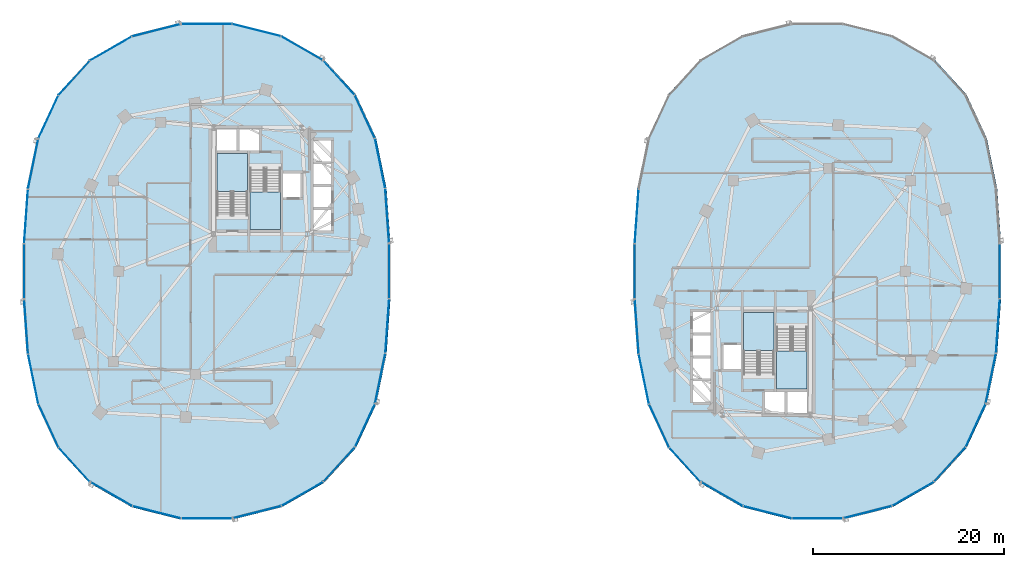
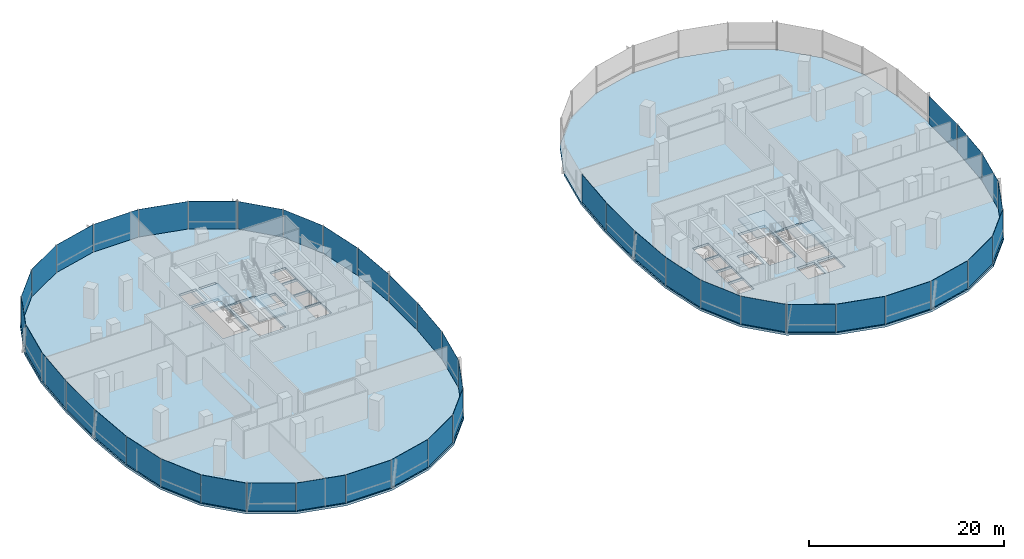
# One storey, part 9 of 21: 44 plates, 6 slabs, 11 elements without a shape of their own.
"""IFC4 building model written with IfcOpenShell, lengths in metres."""

from ifc_helpers import new_model, si_unit, direction, frame, origin, origin_2d, place, context, subcontext, project, spatial, polyline, rectangle, outline, extrude, material, layer, layer_set, type_object, element, aggregate, save


model = new_model("IFC4")

# Units and contexts
model_context = context("Model", 3, precision=1e-05, world=origin(), true_north=direction((0.0, 1.0)))
body_context = subcontext(model_context, "Body", "Model", "MODEL_VIEW")
ifc_project = project(units=[si_unit("LENGTHUNIT", "METRE"), si_unit("AREAUNIT", "SQUARE_METRE"), si_unit("VOLUMEUNIT", "CUBIC_METRE"), si_unit("PLANEANGLEUNIT", "RADIAN"), si_unit("MASSUNIT", "GRAM", prefix="KILO"), si_unit("THERMODYNAMICTEMPERATUREUNIT", "KELVIN"), si_unit("POWERUNIT", "WATT")], contexts=[model_context])

# Site, building, storey
site_placement = place(None, origin())
site = spatial("IfcSite", under=ifc_project, at=site_placement, CompositionType="ELEMENT")
building_placement = place(site_placement, origin())
building = spatial("IfcBuilding", under=site, at=building_placement, Name="Cundina Bronze Exchange", CompositionType="ELEMENT")
storey_placement = place(building_placement, frame((0.0, 0.0, 54.39990234375)))
storey = spatial("IfcBuildingStorey", under=building, at=storey_placement, Name="L13", CompositionType="ELEMENT", Elevation=54.39990234375)

# Curtain wall, plates
ifc_material_1 = material(Name="Anodised Bronze Aluminium 6063-T6", Category="aluminium")
curtain_wall_type = type_object("IfcCurtainWallType", Name="CWS-TRD-LOW", PredefinedType="NOTDEFINED", material=ifc_material_1)
curtain_wall_1_placement = place(storey_placement, origin())
curtain_wall_1 = element("IfcCurtainWall", 1, at=curtain_wall_1_placement, inside=storey, type_object=curtain_wall_type, Name="L13 CW-02 Curtain Wall Run CWR-L13-W1", PredefinedType="NOTDEFINED")
ifc_material_2 = material(Name="Heat-Strengthened Solar-Control Bronze Safety Glass 28mm", Category="glass")
ifc_layer_1 = layer(ifc_material_2, 0.028076171875, Name="Heat-Strengthened Solar-Control Bronze Safety Glass 28mm", Category="glass")
ifc_layer_set_1 = layer_set([ifc_layer_1], Name="Heat-Strengthened Solar-Control Bronze Safety Glass 28mm")
plate_type_1 = type_object("IfcPlateType", Name="PLT-GLZ-VIS28", PredefinedType="CURTAIN_PANEL", material=ifc_layer_set_1)
plate_1_placement = place(storey_placement, frame((-13.0732421875, 5.783935546875, 0.02001953125), z_axis=(0.0, 0.0, 1.0), x_axis=(-0.070278787473, 0.997527389113, 0.0)))
plate_1 = element("IfcPlate", 2, at=plate_1_placement, type_object=plate_type_1, Name="CW-02 Glazed Panel 1", PredefinedType="CURTAIN_PANEL", context=body_context, shape_type="SweptSolid", body=[
    extrude(rectangle(XDim=5.644287109375, YDim=0.028076171875, at=origin_2d()), origin(), (0.0, 0.0, 1.0), 3.4599609375),
])
plate_2_placement = place(storey_placement, frame((-15.413818359375, 16.177734375, 0.02001953125), z_axis=(0.0, 0.0, 1.0), x_axis=(-0.42084583328, 0.907132175932, 0.0)))
plate_2 = element("IfcPlate", 3, at=plate_2_placement, type_object=plate_type_1, Name="CW-02 Glazed Panel 3", PredefinedType="CURTAIN_PANEL", context=body_context, shape_type="SweptSolid", body=[
    extrude(rectangle(XDim=4.966552734375, YDim=0.028076171875, at=origin_2d()), origin(), (0.0, 0.0, 1.0), 3.4599609375),
])
plate_3_placement = place(storey_placement, frame((-18.1259765625, 20.267333984375, 0.02001953125), z_axis=(0.0, 0.0, 1.0), x_axis=(-0.674276610219, 0.73847887777, 0.0)))
plate_3 = element("IfcPlate", 4, at=plate_3_placement, type_object=plate_type_1, Name="CW-02 Glazed Panel 4", PredefinedType="CURTAIN_PANEL", context=body_context, shape_type="SweptSolid", body=[
    extrude(rectangle(XDim=4.86328125, YDim=0.028076171875, at=origin_2d()), origin(), (0.0, 0.0, 1.0), 3.4599609375),
])
plate_4_placement = place(storey_placement, frame((-21.980712890625, 23.34423828125, 0.02001953125), z_axis=(0.0, 0.0, 1.0), x_axis=(-0.867105478933, 0.498124571171, 0.0)))
plate_4 = element("IfcPlate", 5, at=plate_4_placement, type_object=plate_type_1, Name="CW-02 Glazed Panel 5", PredefinedType="CURTAIN_PANEL", context=body_context, shape_type="SweptSolid", body=[
    extrude(rectangle(XDim=5.021240234375, YDim=0.028076171875, at=origin_2d()), origin(), (0.0, 0.0, 1.0), 3.4599609375),
])
plate_5_placement = place(storey_placement, frame((-26.744384765625, 25.256591796875, 0.02001953125), z_axis=(0.0, 0.0, 1.0), x_axis=(-0.969488149345, 0.245138182011, 0.0)))
plate_5 = element("IfcPlate", 6, at=plate_5_placement, type_object=plate_type_1, Name="CW-02 Glazed Panel 6", PredefinedType="CURTAIN_PANEL", context=body_context, shape_type="SweptSolid", body=[
    extrude(rectangle(XDim=5.2333984375, YDim=0.028076171875, at=origin_2d()), origin(), (0.0, 0.0, 1.0), 3.4599609375),
])

curtain_wall_2_placement = place(storey_placement, origin())
curtain_wall_2 = element("IfcCurtainWall", 7, at=curtain_wall_2_placement, inside=storey, type_object=curtain_wall_type, Name="L13 CW-02 Curtain Wall Run CWR-L13-W2", PredefinedType="NOTDEFINED")
plate_6_placement = place(storey_placement, frame((-42.019287109375, 23.34423828125, 0.02001953125), z_axis=(0.0, 0.0, 1.0), x_axis=(-0.867105478933, -0.498124571171, 0.0)))
plate_6 = element("IfcPlate", 8, at=plate_6_placement, type_object=plate_type_1, Name="CW-02 Glazed Panel 2", PredefinedType="CURTAIN_PANEL", context=body_context, shape_type="SweptSolid", body=[
    extrude(rectangle(XDim=5.021240234375, YDim=0.028076171875, at=origin_2d()), origin(), (0.0, 0.0, 1.0), 3.4599609375),
])
plate_7_placement = place(storey_placement, frame((-45.8740234375, 20.267333984375, 0.02001953125), z_axis=(0.0, 0.0, 1.0), x_axis=(-0.674276610219, -0.73847887777, 0.0)))
plate_7 = element("IfcPlate", 9, at=plate_7_placement, type_object=plate_type_1, Name="CW-02 Glazed Panel 3", PredefinedType="CURTAIN_PANEL", context=body_context, shape_type="SweptSolid", body=[
    extrude(rectangle(XDim=4.86328125, YDim=0.028076171875, at=origin_2d()), origin(), (0.0, 0.0, 1.0), 3.4599609375),
])
plate_8_placement = place(storey_placement, frame((-48.586181640625, 16.177734375, 0.02001953125), z_axis=(0.0, 0.0, 1.0), x_axis=(-0.42084583328, -0.907132175932, 0.0)))
plate_8 = element("IfcPlate", 10, at=plate_8_placement, type_object=plate_type_1, Name="CW-02 Glazed Panel 4", PredefinedType="CURTAIN_PANEL", context=body_context, shape_type="SweptSolid", body=[
    extrude(rectangle(XDim=4.966552734375, YDim=0.028076171875, at=origin_2d()), origin(), (0.0, 0.0, 1.0), 3.4599609375),
])
plate_9_placement = place(storey_placement, frame((-50.18408203125, 11.269775390625, 0.02001953125), z_axis=(0.0, 0.0, 1.0), x_axis=(-0.201419845156, -0.979505000486, 0.0)))
plate_9 = element("IfcPlate", 11, at=plate_9_placement, type_object=plate_type_1, Name="CW-02 Glazed Panel 5", PredefinedType="CURTAIN_PANEL", context=body_context, shape_type="SweptSolid", body=[
    extrude(rectangle(XDim=5.306640625, YDim=0.028076171875, at=origin_2d()), origin(), (0.0, 0.0, 1.0), 3.4599609375),
])
plate_10_placement = place(storey_placement, frame((-51.1279296875, 0.0, 0.02001953125), z_axis=(0.0, 0.0, 1.0), x_axis=(0.0, -1.0, 0.0)))
plate_10 = element("IfcPlate", 12, at=plate_10_placement, type_object=plate_type_1, Name="CW-02 Glazed Panel 7", PredefinedType="CURTAIN_PANEL", context=body_context, shape_type="SweptSolid", body=[
    extrude(rectangle(XDim=5.77587890625, YDim=0.028076171875, at=origin_2d()), origin(), (0.0, 0.0, 1.0), 3.4599609375),
])

curtain_wall_3_placement = place(storey_placement, origin())
curtain_wall_3 = element("IfcCurtainWall", 13, at=curtain_wall_3_placement, inside=storey, type_object=curtain_wall_type, Name="L13 CW-02 Curtain Wall Run CWR-L13-W3", PredefinedType="NOTDEFINED")
plate_11_placement = place(storey_placement, frame((-50.9267578125, -5.783935546875, 0.02001953125), z_axis=(0.0, 0.0, 1.0), x_axis=(0.070278787473, -0.997527389113, 0.0)))
plate_11 = element("IfcPlate", 14, at=plate_11_placement, type_object=plate_type_1, Name="CW-02 Glazed Panel 1", PredefinedType="CURTAIN_PANEL", context=body_context, shape_type="SweptSolid", body=[
    extrude(rectangle(XDim=5.644287109375, YDim=0.028076171875, at=origin_2d()), origin(), (0.0, 0.0, 1.0), 3.4599609375),
])
plate_12_placement = place(storey_placement, frame((-50.18408203125, -11.269775390625, 0.02001953125), z_axis=(0.0, 0.0, 1.0), x_axis=(0.201419845156, -0.979505000486, 0.0)))
plate_12 = element("IfcPlate", 15, at=plate_12_placement, type_object=plate_type_1, Name="CW-02 Glazed Panel 2", PredefinedType="CURTAIN_PANEL", context=body_context, shape_type="SweptSolid", body=[
    extrude(rectangle(XDim=5.306640625, YDim=0.028076171875, at=origin_2d()), origin(), (0.0, 0.0, 1.0), 3.4599609375),
])
plate_13_placement = place(storey_placement, frame((-48.586181640625, -16.177734375, 0.02001953125), z_axis=(0.0, 0.0, 1.0), x_axis=(0.42084583328, -0.907132175932, 0.0)))
plate_13 = element("IfcPlate", 16, at=plate_13_placement, type_object=plate_type_1, Name="CW-02 Glazed Panel 3", PredefinedType="CURTAIN_PANEL", context=body_context, shape_type="SweptSolid", body=[
    extrude(rectangle(XDim=4.966552734375, YDim=0.028076171875, at=origin_2d()), origin(), (0.0, 0.0, 1.0), 3.4599609375),
])
plate_14_placement = place(storey_placement, frame((-45.8740234375, -20.267333984375, 0.02001953125), z_axis=(0.0, 0.0, 1.0), x_axis=(0.674276610219, -0.73847887777, 0.0)))
plate_14 = element("IfcPlate", 17, at=plate_14_placement, type_object=plate_type_1, Name="CW-02 Glazed Panel 4", PredefinedType="CURTAIN_PANEL", context=body_context, shape_type="SweptSolid", body=[
    extrude(rectangle(XDim=4.86328125, YDim=0.028076171875, at=origin_2d()), origin(), (0.0, 0.0, 1.0), 3.4599609375),
])
plate_15_placement = place(storey_placement, frame((-37.255615234375, -25.256591796875, 0.02001953125), z_axis=(0.0, 0.0, 1.0), x_axis=(0.969488149345, -0.245138182011, 0.0)))
plate_15 = element("IfcPlate", 18, at=plate_15_placement, type_object=plate_type_1, Name="CW-02 Glazed Panel 6", PredefinedType="CURTAIN_PANEL", context=body_context, shape_type="SweptSolid", body=[
    extrude(rectangle(XDim=5.2333984375, YDim=0.028076171875, at=origin_2d()), origin(), (0.0, 0.0, 1.0), 3.4599609375),
])
plate_16_placement = place(storey_placement, frame((-32.0, -25.905029296875, 0.02001953125), z_axis=(0.0, 0.0, 1.0), x_axis=(1.0, 0.0, 0.0)))
plate_16 = element("IfcPlate", 19, at=plate_16_placement, type_object=plate_type_1, Name="CW-02 Glazed Panel 7", PredefinedType="CURTAIN_PANEL", context=body_context, shape_type="SweptSolid", body=[
    extrude(rectangle(XDim=5.323974609375, YDim=0.028076171875, at=origin_2d()), origin(), (0.0, 0.0, 1.0), 3.4599609375),
])

curtain_wall_4_placement = place(storey_placement, origin())
curtain_wall_4 = element("IfcCurtainWall", 20, at=curtain_wall_4_placement, inside=storey, type_object=curtain_wall_type, Name="L13 CW-02 Curtain Wall Run CWR-L13-W4", PredefinedType="NOTDEFINED")
plate_17_placement = place(storey_placement, frame((-26.744384765625, -25.256591796875, 0.02001953125), z_axis=(0.0, 0.0, 1.0), x_axis=(0.969488149345, 0.245138182011, 0.0)))
plate_17 = element("IfcPlate", 21, at=plate_17_placement, type_object=plate_type_1, Name="CW-02 Glazed Panel 1", PredefinedType="CURTAIN_PANEL", context=body_context, shape_type="SweptSolid", body=[
    extrude(rectangle(XDim=5.2333984375, YDim=0.028076171875, at=origin_2d()), origin(), (0.0, 0.0, 1.0), 3.4599609375),
])
plate_18_placement = place(storey_placement, frame((-21.980712890625, -23.34423828125, 0.02001953125), z_axis=(0.0, 0.0, 1.0), x_axis=(0.867105478933, 0.498124571171, 0.0)))
plate_18 = element("IfcPlate", 22, at=plate_18_placement, type_object=plate_type_1, Name="CW-02 Glazed Panel 2", PredefinedType="CURTAIN_PANEL", context=body_context, shape_type="SweptSolid", body=[
    extrude(rectangle(XDim=5.021240234375, YDim=0.028076171875, at=origin_2d()), origin(), (0.0, 0.0, 1.0), 3.4599609375),
])
plate_19_placement = place(storey_placement, frame((-18.1259765625, -20.267333984375, 0.02001953125), z_axis=(0.0, 0.0, 1.0), x_axis=(0.674276610219, 0.73847887777, 0.0)))
plate_19 = element("IfcPlate", 23, at=plate_19_placement, type_object=plate_type_1, Name="CW-02 Glazed Panel 3", PredefinedType="CURTAIN_PANEL", context=body_context, shape_type="SweptSolid", body=[
    extrude(rectangle(XDim=4.86328125, YDim=0.028076171875, at=origin_2d()), origin(), (0.0, 0.0, 1.0), 3.4599609375),
])
plate_20_placement = place(storey_placement, frame((-13.81591796875, -11.269775390625, 0.02001953125), z_axis=(0.0, 0.0, 1.0), x_axis=(0.201419845156, 0.979505000486, 0.0)))
plate_20 = element("IfcPlate", 24, at=plate_20_placement, type_object=plate_type_1, Name="CW-02 Glazed Panel 5", PredefinedType="CURTAIN_PANEL", context=body_context, shape_type="SweptSolid", body=[
    extrude(rectangle(XDim=5.306640625, YDim=0.028076171875, at=origin_2d()), origin(), (0.0, 0.0, 1.0), 3.4599609375),
])
plate_21_placement = place(storey_placement, frame((-13.0732421875, -5.783935546875, 0.02001953125), z_axis=(0.0, 0.0, 1.0), x_axis=(0.070278787473, 0.997527389113, 0.0)))
plate_21 = element("IfcPlate", 25, at=plate_21_placement, type_object=plate_type_1, Name="CW-02 Glazed Panel 6", PredefinedType="CURTAIN_PANEL", context=body_context, shape_type="SweptSolid", body=[
    extrude(rectangle(XDim=5.644287109375, YDim=0.028076171875, at=origin_2d()), origin(), (0.0, 0.0, 1.0), 3.4599609375),
])
plate_22_placement = place(storey_placement, frame((-12.8720703125, 0.0, 0.02001953125), z_axis=(0.0, 0.0, 1.0), x_axis=(0.0, 1.0, 0.0)))
plate_22 = element("IfcPlate", 26, at=plate_22_placement, type_object=plate_type_1, Name="CW-02 Glazed Panel 7", PredefinedType="CURTAIN_PANEL", context=body_context, shape_type="SweptSolid", body=[
    extrude(rectangle(XDim=5.77587890625, YDim=0.028076171875, at=origin_2d()), origin(), (0.0, 0.0, 1.0), 3.4599609375),
])

# Curtain wall, plate
curtain_wall_5_placement = place(storey_placement, origin())
curtain_wall_5 = element("IfcCurtainWall", 27, at=curtain_wall_5_placement, inside=storey, type_object=curtain_wall_type, Name="L13 CW-02 Curtain Wall Run CWR-L13-E2", PredefinedType="NOTDEFINED")
plate_23_placement = place(storey_placement, frame((12.8720703125, 0.0, 0.02001953125), z_axis=(0.0, 0.0, 1.0), x_axis=(0.0, -1.0, 0.0)))
plate_23 = element("IfcPlate", 28, at=plate_23_placement, type_object=plate_type_1, Name="CW-02 Glazed Panel 7", PredefinedType="CURTAIN_PANEL", context=body_context, shape_type="SweptSolid", body=[
    extrude(rectangle(XDim=5.77587890625, YDim=0.028076171875, at=origin_2d()), origin(), (0.0, 0.0, 1.0), 3.4599609375),
])

# Curtain wall, plates
curtain_wall_6_placement = place(storey_placement, origin())
curtain_wall_6 = element("IfcCurtainWall", 29, at=curtain_wall_6_placement, inside=storey, type_object=curtain_wall_type, Name="L13 CW-02 Curtain Wall Run CWR-L13-E3", PredefinedType="NOTDEFINED")
plate_24_placement = place(storey_placement, frame((13.0732421875, -5.783935546875, 0.02001953125), z_axis=(0.0, 0.0, 1.0), x_axis=(0.070278787473, -0.997527389113, 0.0)))
plate_24 = element("IfcPlate", 30, at=plate_24_placement, type_object=plate_type_1, Name="CW-02 Glazed Panel 1", PredefinedType="CURTAIN_PANEL", context=body_context, shape_type="SweptSolid", body=[
    extrude(rectangle(XDim=5.644287109375, YDim=0.028076171875, at=origin_2d()), origin(), (0.0, 0.0, 1.0), 3.4599609375),
])
plate_25_placement = place(storey_placement, frame((13.81591796875, -11.269775390625, 0.02001953125), z_axis=(0.0, 0.0, 1.0), x_axis=(0.201419845156, -0.979505000486, 0.0)))
plate_25 = element("IfcPlate", 31, at=plate_25_placement, type_object=plate_type_1, Name="CW-02 Glazed Panel 2", PredefinedType="CURTAIN_PANEL", context=body_context, shape_type="SweptSolid", body=[
    extrude(rectangle(XDim=5.306640625, YDim=0.028076171875, at=origin_2d()), origin(), (0.0, 0.0, 1.0), 3.4599609375),
])
plate_26_placement = place(storey_placement, frame((15.413818359375, -16.177734375, 0.02001953125), z_axis=(0.0, 0.0, 1.0), x_axis=(0.42084583328, -0.907132175932, 0.0)))
plate_26 = element("IfcPlate", 32, at=plate_26_placement, type_object=plate_type_1, Name="CW-02 Glazed Panel 3", PredefinedType="CURTAIN_PANEL", context=body_context, shape_type="SweptSolid", body=[
    extrude(rectangle(XDim=4.966552734375, YDim=0.028076171875, at=origin_2d()), origin(), (0.0, 0.0, 1.0), 3.4599609375),
])
plate_27_placement = place(storey_placement, frame((18.1259765625, -20.267333984375, 0.02001953125), z_axis=(0.0, 0.0, 1.0), x_axis=(0.674276610219, -0.73847887777, 0.0)))
plate_27 = element("IfcPlate", 33, at=plate_27_placement, type_object=plate_type_1, Name="CW-02 Glazed Panel 4", PredefinedType="CURTAIN_PANEL", context=body_context, shape_type="SweptSolid", body=[
    extrude(rectangle(XDim=4.86328125, YDim=0.028076171875, at=origin_2d()), origin(), (0.0, 0.0, 1.0), 3.4599609375),
])
plate_28_placement = place(storey_placement, frame((26.744384765625, -25.256591796875, 0.02001953125), z_axis=(0.0, 0.0, 1.0), x_axis=(0.969488149345, -0.245138182011, 0.0)))
plate_28 = element("IfcPlate", 34, at=plate_28_placement, type_object=plate_type_1, Name="CW-02 Glazed Panel 6", PredefinedType="CURTAIN_PANEL", context=body_context, shape_type="SweptSolid", body=[
    extrude(rectangle(XDim=5.2333984375, YDim=0.028076171875, at=origin_2d()), origin(), (0.0, 0.0, 1.0), 3.4599609375),
])
plate_29_placement = place(storey_placement, frame((32.0, -25.905029296875, 0.02001953125), z_axis=(0.0, 0.0, 1.0), x_axis=(1.0, 0.0, 0.0)))
plate_29 = element("IfcPlate", 35, at=plate_29_placement, type_object=plate_type_1, Name="CW-02 Glazed Panel 7", PredefinedType="CURTAIN_PANEL", context=body_context, shape_type="SweptSolid", body=[
    extrude(rectangle(XDim=5.323974609375, YDim=0.028076171875, at=origin_2d()), origin(), (0.0, 0.0, 1.0), 3.4599609375),
])

curtain_wall_7_placement = place(storey_placement, origin())
curtain_wall_7 = element("IfcCurtainWall", 36, at=curtain_wall_7_placement, inside=storey, type_object=curtain_wall_type, Name="L13 CW-02 Curtain Wall Run CWR-L13-E4", PredefinedType="NOTDEFINED")
plate_30_placement = place(storey_placement, frame((37.255615234375, -25.256591796875, 0.02001953125), z_axis=(0.0, 0.0, 1.0), x_axis=(0.969488149345, 0.245138182011, 0.0)))
plate_30 = element("IfcPlate", 37, at=plate_30_placement, type_object=plate_type_1, Name="CW-02 Glazed Panel 1", PredefinedType="CURTAIN_PANEL", context=body_context, shape_type="SweptSolid", body=[
    extrude(rectangle(XDim=5.2333984375, YDim=0.028076171875, at=origin_2d()), origin(), (0.0, 0.0, 1.0), 3.4599609375),
])
plate_31_placement = place(storey_placement, frame((42.019287109375, -23.34423828125, 0.02001953125), z_axis=(0.0, 0.0, 1.0), x_axis=(0.867105478933, 0.498124571171, 0.0)))
plate_31 = element("IfcPlate", 38, at=plate_31_placement, type_object=plate_type_1, Name="CW-02 Glazed Panel 2", PredefinedType="CURTAIN_PANEL", context=body_context, shape_type="SweptSolid", body=[
    extrude(rectangle(XDim=5.021240234375, YDim=0.028076171875, at=origin_2d()), origin(), (0.0, 0.0, 1.0), 3.4599609375),
])
plate_32_placement = place(storey_placement, frame((45.8740234375, -20.267333984375, 0.02001953125), z_axis=(0.0, 0.0, 1.0), x_axis=(0.674276610219, 0.73847887777, 0.0)))
plate_32 = element("IfcPlate", 39, at=plate_32_placement, type_object=plate_type_1, Name="CW-02 Glazed Panel 3", PredefinedType="CURTAIN_PANEL", context=body_context, shape_type="SweptSolid", body=[
    extrude(rectangle(XDim=4.86328125, YDim=0.028076171875, at=origin_2d()), origin(), (0.0, 0.0, 1.0), 3.4599609375),
])
plate_33_placement = place(storey_placement, frame((50.18408203125, -11.269775390625, 0.02001953125), z_axis=(0.0, 0.0, 1.0), x_axis=(0.201419845156, 0.979505000486, 0.0)))
plate_33 = element("IfcPlate", 40, at=plate_33_placement, type_object=plate_type_1, Name="CW-02 Glazed Panel 5", PredefinedType="CURTAIN_PANEL", context=body_context, shape_type="SweptSolid", body=[
    extrude(rectangle(XDim=5.306640625, YDim=0.028076171875, at=origin_2d()), origin(), (0.0, 0.0, 1.0), 3.4599609375),
])
plate_34_placement = place(storey_placement, frame((50.9267578125, -5.783935546875, 0.02001953125), z_axis=(0.0, 0.0, 1.0), x_axis=(0.070278787473, 0.997527389113, 0.0)))
plate_34 = element("IfcPlate", 41, at=plate_34_placement, type_object=plate_type_1, Name="CW-02 Glazed Panel 6", PredefinedType="CURTAIN_PANEL", context=body_context, shape_type="SweptSolid", body=[
    extrude(rectangle(XDim=5.644287109375, YDim=0.028076171875, at=origin_2d()), origin(), (0.0, 0.0, 1.0), 3.4599609375),
])
plate_35_placement = place(storey_placement, frame((51.1279296875, 0.0, 0.02001953125), z_axis=(0.0, 0.0, 1.0), x_axis=(0.0, 1.0, 0.0)))
plate_35 = element("IfcPlate", 42, at=plate_35_placement, type_object=plate_type_1, Name="CW-02 Glazed Panel 7", PredefinedType="CURTAIN_PANEL", context=body_context, shape_type="SweptSolid", body=[
    extrude(rectangle(XDim=5.77587890625, YDim=0.028076171875, at=origin_2d()), origin(), (0.0, 0.0, 1.0), 3.4599609375),
])

# Plate
ifc_material_3 = material(Name="Dark Bronze Spandrel Glass Panel 32mm", Category="glass")
ifc_layer_2 = layer(ifc_material_3, 0.031982421875, Name="Dark Bronze Spandrel Glass Panel 32mm", Category="glass")
ifc_layer_set_2 = layer_set([ifc_layer_2], Name="Dark Bronze Spandrel Glass Panel 32mm")
plate_type_2 = type_object("IfcPlateType", Name="PLT-SPN-BRZ32", PredefinedType="CURTAIN_PANEL", material=ifc_layer_set_2)
plate_36_placement = place(storey_placement, frame((-13.81591796875, 11.269775390625, 0.02001953125), z_axis=(0.0, 0.0, 1.0), x_axis=(-0.201419845156, 0.979505000486, 0.0)))
plate_36 = element("IfcPlate", 43, at=plate_36_placement, type_object=plate_type_2, Name="CW-02 Glazed Panel 2", PredefinedType="CURTAIN_PANEL", context=body_context, shape_type="SweptSolid", body=[
    extrude(rectangle(XDim=5.306640625, YDim=0.031982421875, at=origin_2d()), origin(), (0.0, 0.0, 1.0), 3.4599609375),
])

plate_37_placement = place(storey_placement, frame((-32.0, 25.905029296875, 0.02001953125), z_axis=(0.0, 0.0, 1.0), x_axis=(-1.0, 0.0, 0.0)))
plate_37 = element("IfcPlate", 44, at=plate_37_placement, type_object=plate_type_2, Name="CW-02 Glazed Panel 7", PredefinedType="CURTAIN_PANEL", context=body_context, shape_type="SweptSolid", body=[
    extrude(rectangle(XDim=5.323974609375, YDim=0.031982421875, at=origin_2d()), origin(), (0.0, 0.0, 1.0), 3.4599609375),
])

aggregate(curtain_wall_1, [plate_1, plate_36, plate_2, plate_3, plate_4, plate_5, plate_37])

plate_38_placement = place(storey_placement, frame((-37.255615234375, 25.256591796875, 0.02001953125), z_axis=(0.0, 0.0, 1.0), x_axis=(-0.969488149345, -0.245138182011, 0.0)))
plate_38 = element("IfcPlate", 45, at=plate_38_placement, type_object=plate_type_2, Name="CW-02 Glazed Panel 1", PredefinedType="CURTAIN_PANEL", context=body_context, shape_type="SweptSolid", body=[
    extrude(rectangle(XDim=5.2333984375, YDim=0.031982421875, at=origin_2d()), origin(), (0.0, 0.0, 1.0), 3.4599609375),
])

plate_39_placement = place(storey_placement, frame((-50.9267578125, 5.783935546875, 0.02001953125), z_axis=(0.0, 0.0, 1.0), x_axis=(-0.070278787473, -0.997527389113, 0.0)))
plate_39 = element("IfcPlate", 46, at=plate_39_placement, type_object=plate_type_2, Name="CW-02 Glazed Panel 6", PredefinedType="CURTAIN_PANEL", context=body_context, shape_type="SweptSolid", body=[
    extrude(rectangle(XDim=5.644287109375, YDim=0.031982421875, at=origin_2d()), origin(), (0.0, 0.0, 1.0), 3.4599609375),
])

aggregate(curtain_wall_2, [plate_38, plate_6, plate_7, plate_8, plate_9, plate_39, plate_10])

plate_40_placement = place(storey_placement, frame((-42.019287109375, -23.34423828125, 0.02001953125), z_axis=(0.0, 0.0, 1.0), x_axis=(0.867105478933, -0.498124571171, 0.0)))
plate_40 = element("IfcPlate", 47, at=plate_40_placement, type_object=plate_type_2, Name="CW-02 Glazed Panel 5", PredefinedType="CURTAIN_PANEL", context=body_context, shape_type="SweptSolid", body=[
    extrude(rectangle(XDim=5.021240234375, YDim=0.031982421875, at=origin_2d()), origin(), (0.0, 0.0, 1.0), 3.4599609375),
])

aggregate(curtain_wall_3, [plate_11, plate_12, plate_13, plate_14, plate_40, plate_15, plate_16])

plate_41_placement = place(storey_placement, frame((-15.413818359375, -16.177734375, 0.02001953125), z_axis=(0.0, 0.0, 1.0), x_axis=(0.42084583328, 0.907132175932, 0.0)))
plate_41 = element("IfcPlate", 48, at=plate_41_placement, type_object=plate_type_2, Name="CW-02 Glazed Panel 4", PredefinedType="CURTAIN_PANEL", context=body_context, shape_type="SweptSolid", body=[
    extrude(rectangle(XDim=4.966552734375, YDim=0.031982421875, at=origin_2d()), origin(), (0.0, 0.0, 1.0), 3.4599609375),
])

aggregate(curtain_wall_4, [plate_17, plate_18, plate_19, plate_41, plate_20, plate_21, plate_22])

plate_42_placement = place(storey_placement, frame((13.0732421875, 5.783935546875, 0.02001953125), z_axis=(0.0, 0.0, 1.0), x_axis=(-0.070278787473, -0.997527389113, 0.0)))
plate_42 = element("IfcPlate", 49, at=plate_42_placement, type_object=plate_type_2, Name="CW-02 Glazed Panel 6", PredefinedType="CURTAIN_PANEL", context=body_context, shape_type="SweptSolid", body=[
    extrude(rectangle(XDim=5.644287109375, YDim=0.031982421875, at=origin_2d()), origin(), (0.0, 0.0, 1.0), 3.4599609375),
])

aggregate(curtain_wall_5, [plate_42, plate_23])

plate_43_placement = place(storey_placement, frame((21.980712890625, -23.34423828125, 0.02001953125), z_axis=(0.0, 0.0, 1.0), x_axis=(0.867105478933, -0.498124571171, 0.0)))
plate_43 = element("IfcPlate", 50, at=plate_43_placement, type_object=plate_type_2, Name="CW-02 Glazed Panel 5", PredefinedType="CURTAIN_PANEL", context=body_context, shape_type="SweptSolid", body=[
    extrude(rectangle(XDim=5.021240234375, YDim=0.031982421875, at=origin_2d()), origin(), (0.0, 0.0, 1.0), 3.4599609375),
])

aggregate(curtain_wall_6, [plate_24, plate_25, plate_26, plate_27, plate_43, plate_28, plate_29])

plate_44_placement = place(storey_placement, frame((48.586181640625, -16.177734375, 0.02001953125), z_axis=(0.0, 0.0, 1.0), x_axis=(0.42084583328, 0.907132175932, 0.0)))
plate_44 = element("IfcPlate", 51, at=plate_44_placement, type_object=plate_type_2, Name="CW-02 Glazed Panel 4", PredefinedType="CURTAIN_PANEL", context=body_context, shape_type="SweptSolid", body=[
    extrude(rectangle(XDim=4.966552734375, YDim=0.031982421875, at=origin_2d()), origin(), (0.0, 0.0, 1.0), 3.4599609375),
])

aggregate(curtain_wall_7, [plate_30, plate_31, plate_32, plate_44, plate_33, plate_34, plate_35])

# Stair, slab
ifc_material_4 = material(Name="Concrete C40/50", Category="concrete")
stair_type = type_object("IfcStairType", Name="STR-TRD-380", PredefinedType="HALF_TURN_STAIR", material=ifc_material_4)
stair_1_placement = place(storey_placement, origin())
stair_1 = element("IfcStair", 52, at=stair_1_placement, inside=storey, type_object=stair_type, Name="L13 Smokeproof Exit Stair W1", PredefinedType="HALF_TURN_STAIR")
ifc_layer_3 = layer(ifc_material_4, 0.199951171875, Name="Concrete C40/50", Category="concrete")
ifc_layer_set_3 = layer_set([ifc_layer_3], Name="Concrete C40/50")
slab_type_1 = type_object("IfcSlabType", Name="SLB-LND-200", PredefinedType="LANDING", material=ifc_layer_set_3)
slab_1_placement = place(storey_placement, frame((0.0, 0.0, 1.7001953125)))
slab_1 = element("IfcSlab", 53, at=slab_1_placement, type_object=slab_type_1, Name="ST-W1 landing 1", PredefinedType="LANDING", context=body_context, shape_type="SweptSolid", body=[
    extrude(outline(polyline([(-27.739990234375, 8.3701171875), (-27.739990234375, 12.35009765625), (-30.89990234375, 12.35009765625), (-30.89990234375, 8.3701171875), (-27.739990234375, 8.3701171875)])), origin(), (0.0, 0.0, 1.0), 0.199951171875),
])
aggregate(stair_1, [slab_1])

stair_2_placement = place(storey_placement, origin())
stair_2 = element("IfcStair", 54, at=stair_2_placement, inside=storey, type_object=stair_type, Name="L13 Smokeproof Exit Stair W2", PredefinedType="HALF_TURN_STAIR")
slab_2_placement = place(storey_placement, frame((0.0, 0.0, 1.7001953125)))
slab_2 = element("IfcSlab", 55, at=slab_2_placement, type_object=slab_type_1, Name="ST-W2 landing 1", PredefinedType="LANDING", context=body_context, shape_type="SweptSolid", body=[
    extrude(outline(polyline([(-27.43994140625, 8.330078125), (-27.43994140625, 4.35009765625), (-24.280029296875, 4.35009765625), (-24.280029296875, 8.330078125), (-27.43994140625, 8.330078125)])), origin(), (0.0, 0.0, 1.0), 0.199951171875),
])
aggregate(stair_2, [slab_2])

stair_3_placement = place(storey_placement, origin())
stair_3 = element("IfcStair", 56, at=stair_3_placement, inside=storey, type_object=stair_type, Name="L13 Smokeproof Exit Stair E1", PredefinedType="HALF_TURN_STAIR")
slab_3_placement = place(storey_placement, frame((0.0, 0.0, 1.7001953125)))
slab_3 = element("IfcSlab", 57, at=slab_3_placement, type_object=slab_type_1, Name="ST-E1 landing 1", PredefinedType="LANDING", context=body_context, shape_type="SweptSolid", body=[
    extrude(outline(polyline([(27.739990234375, -8.3701171875), (27.739990234375, -12.35009765625), (30.89990234375, -12.35009765625), (30.89990234375, -8.3701171875), (27.739990234375, -8.3701171875)])), origin(), (0.0, 0.0, 1.0), 0.199951171875),
])
aggregate(stair_3, [slab_3])

stair_4_placement = place(storey_placement, origin())
stair_4 = element("IfcStair", 58, at=stair_4_placement, inside=storey, type_object=stair_type, Name="L13 Smokeproof Exit Stair E2", PredefinedType="HALF_TURN_STAIR")
slab_4_placement = place(storey_placement, frame((0.0, 0.0, 1.7001953125)))
slab_4 = element("IfcSlab", 59, at=slab_4_placement, type_object=slab_type_1, Name="ST-E2 landing 1", PredefinedType="LANDING", context=body_context, shape_type="SweptSolid", body=[
    extrude(outline(polyline([(27.43994140625, -8.330078125), (27.43994140625, -4.35009765625), (24.280029296875, -4.35009765625), (24.280029296875, -8.330078125), (27.43994140625, -8.330078125)])), origin(), (0.0, 0.0, 1.0), 0.199951171875),
])
aggregate(stair_4, [slab_4])

# Slabs
ifc_material_5 = material(Name="Concrete C50/60", Category="concrete")
ifc_layer_4 = layer(ifc_material_5, 0.300048828125, Name="Concrete C50/60", Category="concrete")
ifc_layer_set_4 = layer_set([ifc_layer_4], Name="Concrete C50/60")
slab_type_2 = type_object("IfcSlabType", Name="SLB-TRD-300", PredefinedType="FLOOR", material=ifc_layer_set_4)
slab_5_placement = place(storey_placement, frame((0.0, 0.0, -0.2998046875)))
element("IfcSlab", 60, at=slab_5_placement, inside=storey, type_object=slab_type_2, Name="L13 Leg W Structural Floor Slab", PredefinedType="FLOOR", context=body_context, shape_type="SweptSolid", body=[
    extrude(outline(polyline([(-12.741943359375, 2.93310546875), (-13.14501953125, 8.653076171875), (-14.23193359375, 13.93896484375), (-16.360107421875, 18.52587890625), (-19.699951171875, 22.18408203125), (-24.132080078125, 24.72998046875), (-29.29296875, 26.034912109375), (-34.70703125, 26.034912109375), (-39.867919921875, 24.72998046875), (-44.300048828125, 22.18408203125), (-47.639892578125, 18.52587890625), (-49.76806640625, 13.93896484375), (-50.85498046875, 8.653076171875), (-51.258056640625, 2.93310546875), (-51.258056640625, -2.93310546875), (-50.85498046875, -8.653076171875), (-49.76806640625, -13.93896484375), (-47.639892578125, -18.52587890625), (-44.300048828125, -22.18408203125), (-39.867919921875, -24.72998046875), (-34.70703125, -26.034912109375), (-29.29296875, -26.034912109375), (-24.132080078125, -24.72998046875), (-19.699951171875, -22.18408203125), (-16.360107421875, -18.52587890625), (-14.23193359375, -13.93896484375), (-13.14501953125, -8.653076171875), (-12.741943359375, -2.93310546875), (-12.741943359375, 2.93310546875)]), holes=[polyline([(-27.739990234375, 5.85009765625), (-27.739990234375, 12.35009765625), (-30.89990234375, 12.35009765625), (-30.89990234375, 5.85009765625), (-27.739990234375, 5.85009765625)]), polyline([(-27.43994140625, 10.85009765625), (-27.43994140625, 4.35009765625), (-24.280029296875, 4.35009765625), (-24.280029296875, 10.85009765625), (-27.43994140625, 10.85009765625)]), polyline([(-23.97998046875, 10.25), (-22.179931640625, 10.25), (-22.179931640625, 7.75), (-23.97998046875, 7.75), (-23.97998046875, 10.25)]), polyline([(-30.89990234375, 14.949951171875), (-28.85009765625, 14.949951171875), (-28.85009765625, 12.64990234375), (-30.89990234375, 12.64990234375), (-30.89990234375, 14.949951171875)]), polyline([(-28.550048828125, 14.949951171875), (-26.5, 14.949951171875), (-26.5, 12.64990234375), (-28.550048828125, 12.64990234375), (-28.550048828125, 14.949951171875)]), polyline([(-20.800048828125, 13.699951171875), (-18.949951171875, 13.699951171875), (-18.949951171875, 11.449951171875), (-20.800048828125, 11.449951171875), (-20.800048828125, 13.699951171875)]), polyline([(-20.800048828125, 11.300048828125), (-18.949951171875, 11.300048828125), (-18.949951171875, 9.050048828125), (-20.800048828125, 9.050048828125), (-20.800048828125, 11.300048828125)]), polyline([(-20.800048828125, 8.89990234375), (-18.949951171875, 8.89990234375), (-18.949951171875, 6.64990234375), (-20.800048828125, 6.64990234375), (-20.800048828125, 8.89990234375)]), polyline([(-20.800048828125, 6.5), (-18.949951171875, 6.5), (-18.949951171875, 4.25), (-20.800048828125, 4.25), (-20.800048828125, 6.5)])]), origin(), (0.0, 0.0, 1.0), 0.2998046875),
])
slab_6_placement = place(storey_placement, frame((0.0, 0.0, -0.2998046875)))
element("IfcSlab", 61, at=slab_6_placement, inside=storey, type_object=slab_type_2, Name="L13 Leg E Structural Floor Slab", PredefinedType="FLOOR", context=body_context, shape_type="SweptSolid", body=[
    extrude(outline(polyline([(51.258056640625, 2.93310546875), (50.85498046875, 8.653076171875), (49.76806640625, 13.93896484375), (47.639892578125, 18.52587890625), (44.300048828125, 22.18408203125), (39.867919921875, 24.72998046875), (34.70703125, 26.034912109375), (29.29296875, 26.034912109375), (24.132080078125, 24.72998046875), (19.699951171875, 22.18408203125), (16.360107421875, 18.52587890625), (14.23193359375, 13.93896484375), (13.14501953125, 8.653076171875), (12.741943359375, 2.93310546875), (12.741943359375, -2.93310546875), (13.14501953125, -8.653076171875), (14.23193359375, -13.93896484375), (16.360107421875, -18.52587890625), (19.699951171875, -22.18408203125), (24.132080078125, -24.72998046875), (29.29296875, -26.034912109375), (34.70703125, -26.034912109375), (39.867919921875, -24.72998046875), (44.300048828125, -22.18408203125), (47.639892578125, -18.52587890625), (49.76806640625, -13.93896484375), (50.85498046875, -8.653076171875), (51.258056640625, -2.93310546875), (51.258056640625, 2.93310546875)]), holes=[polyline([(27.739990234375, -5.85009765625), (27.739990234375, -12.35009765625), (30.89990234375, -12.35009765625), (30.89990234375, -5.85009765625), (27.739990234375, -5.85009765625)]), polyline([(27.43994140625, -10.85009765625), (27.43994140625, -4.35009765625), (24.280029296875, -4.35009765625), (24.280029296875, -10.85009765625), (27.43994140625, -10.85009765625)]), polyline([(22.179931640625, -7.75), (23.97998046875, -7.75), (23.97998046875, -10.25), (22.179931640625, -10.25), (22.179931640625, -7.75)]), polyline([(28.85009765625, -12.64990234375), (30.89990234375, -12.64990234375), (30.89990234375, -14.949951171875), (28.85009765625, -14.949951171875), (28.85009765625, -12.64990234375)]), polyline([(26.5, -12.64990234375), (28.550048828125, -12.64990234375), (28.550048828125, -14.949951171875), (26.5, -14.949951171875), (26.5, -12.64990234375)]), polyline([(18.949951171875, -11.449951171875), (20.800048828125, -11.449951171875), (20.800048828125, -13.699951171875), (18.949951171875, -13.699951171875), (18.949951171875, -11.449951171875)]), polyline([(18.949951171875, -9.050048828125), (20.800048828125, -9.050048828125), (20.800048828125, -11.300048828125), (18.949951171875, -11.300048828125), (18.949951171875, -9.050048828125)]), polyline([(18.949951171875, -6.64990234375), (20.800048828125, -6.64990234375), (20.800048828125, -8.89990234375), (18.949951171875, -8.89990234375), (18.949951171875, -6.64990234375)]), polyline([(18.949951171875, -4.25), (20.800048828125, -4.25), (20.800048828125, -6.5), (18.949951171875, -6.5), (18.949951171875, -4.25)])]), origin(), (0.0, 0.0, 1.0), 0.2998046875),
])

save(model, "model.ifc")
